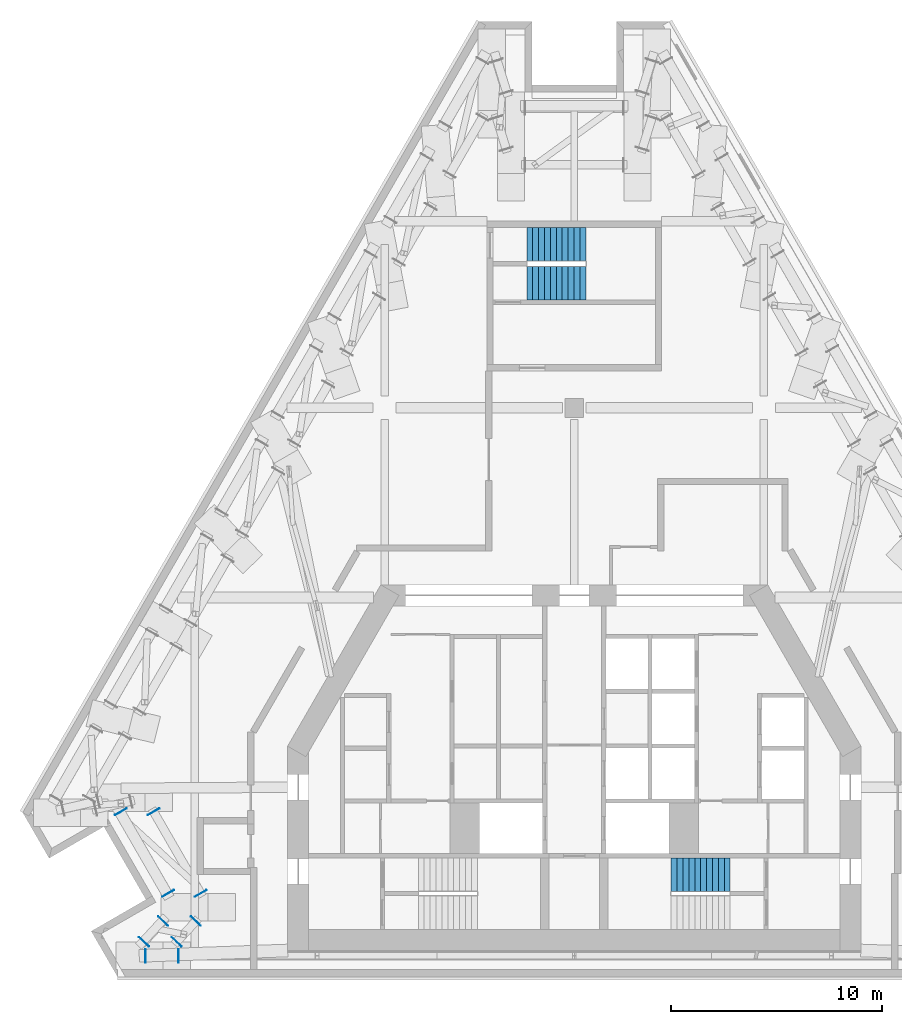
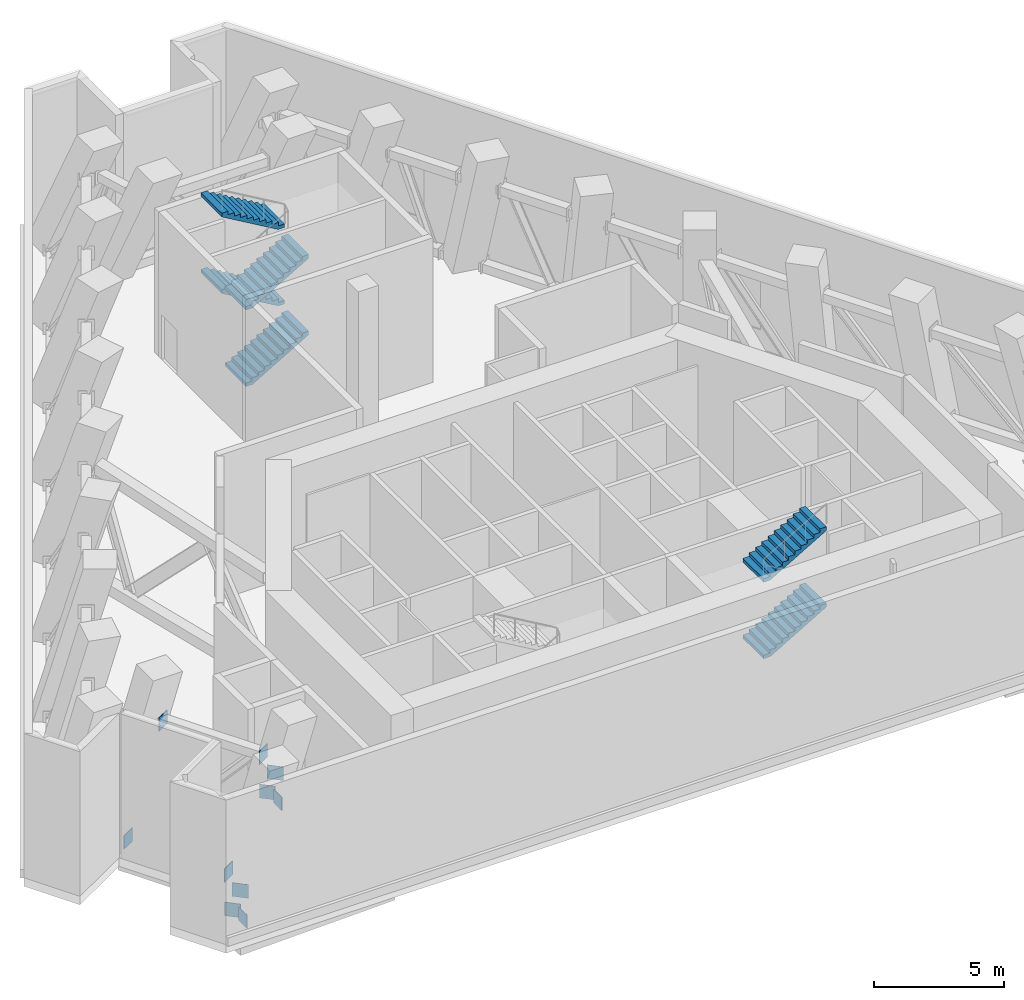
# One storey, part 9 of 13: 10 discrete accessories, 6 stair flights, 2 elements without a shape of their own.
"""IFC4 building model written with IfcOpenShell, lengths in metres."""

import ifcopenshell
import ifcopenshell.guid

model = None  # the IFC model being written
_history = None  # IfcOwnerHistory: only IFC2X3 demands one
_inside = {}  # id of a spatial element -> (the spatial element, [elements in it])
_under = {}  # id of a project, library or spatial element -> (it, [spatial elements below it])
_declared = {}  # id of a project -> (the project, [libraries it declares])
_typed = {}  # id of a type object -> (the type object, [elements of that type])
_made_of = {}  # id of a material, layer set ... -> (it, [elements and type objects made of it])


def new_model(schema):
    """Start an empty IFC model of exactly this schema.

    Asked for "IFC4X3", IfcOpenShell would pick the latest addendum, in which some entities
    have other attributes; the version numbers below select the first issue.
    IFC2X3 requires an IfcOwnerHistory on every rooted entity: one is made here for all.
    """
    global model, _history
    if schema == "IFC4X3":
        model = ifcopenshell.file(schema_version=(4, 3, 0, 0))
    else:
        model = ifcopenshell.file(schema=schema)
    _inside.clear()
    _under.clear()
    _declared.clear()
    _typed.clear()
    _made_of.clear()
    _history = None
    if model.schema == "IFC2X3":
        org = make("IfcOrganization", Name="unknown")
        user = make(
            "IfcPersonAndOrganization",
            ThePerson=make("IfcPerson", FamilyName="unknown"),
            TheOrganization=org,
        )
        app = make(
            "IfcApplication",
            ApplicationDeveloper=org,
            Version="unknown",
            ApplicationFullName="unknown",
            ApplicationIdentifier="unknown",
        )
        _history = make(
            "IfcOwnerHistory",
            OwningUser=user,
            OwningApplication=app,
            ChangeAction="ADDED",
            CreationDate=0,
        )
    return model


def make(cls, **values):
    """One entity of the class cls with the attributes given. An attribute that is None is left unset."""
    return model.create_entity(
        cls, **{name: value for name, value in values.items() if value is not None}
    )


def rooted(cls, **values):
    """An entity with a GlobalId (a new one), such as an element, a storey or a relation."""
    return make(cls, GlobalId=ifcopenshell.guid.new(), OwnerHistory=_history, **values)


def si_unit(unit_type, name, prefix=None):
    """IfcSIUnit, for example si_unit("LENGTHUNIT", "METRE", prefix="MILLI")."""
    return make("IfcSIUnit", UnitType=unit_type, Prefix=prefix, Name=name)


def assignment(units):
    """IfcUnitAssignment: the units of a project."""
    return None if units is None else make("IfcUnitAssignment", Units=units)


def point(xyz):
    """IfcCartesianPoint."""
    return None if xyz is None else make("IfcCartesianPoint", Coordinates=xyz)


def direction(xyz):
    """IfcDirection."""
    return None if xyz is None else make("IfcDirection", DirectionRatios=xyz)


def frame(location, z_axis=None, x_axis=None):
    """IfcAxis2Placement3D, a coordinate frame: its origin and axes. An axis left out is left unset."""
    return make(
        "IfcAxis2Placement3D",
        Location=point(location),
        Axis=direction(z_axis),
        RefDirection=direction(x_axis),
    )


def frame_2d(location, x_axis=None):
    """IfcAxis2Placement2D, a coordinate frame in the plane: its origin and x axis."""
    return make(
        "IfcAxis2Placement2D", Location=point(location), RefDirection=direction(x_axis)
    )


def origin():
    """The frame at (0, 0, 0) with its axes left unset."""
    return frame((0.0, 0.0, 0.0))


def origin_2d():
    """The frame at (0, 0) in the plane with its x axis left unset."""
    return frame_2d((0.0, 0.0))


def place(relative_to, where):
    """IfcLocalPlacement: puts the frame where relative to a parent placement (None: the world)."""
    return make(
        "IfcLocalPlacement", PlacementRelTo=relative_to, RelativePlacement=where
    )


def context(
    kind, dimensions, precision=None, world=None, true_north=None, identifier=None
):
    """IfcGeometricRepresentationContext, for example the 3D "Model" context."""
    return make(
        "IfcGeometricRepresentationContext",
        ContextIdentifier=identifier,
        ContextType=kind,
        CoordinateSpaceDimension=dimensions,
        Precision=precision,
        WorldCoordinateSystem=world,
        TrueNorth=true_north,
    )


def subcontext(parent, identifier, kind, view, scale=None):
    """IfcGeometricRepresentationSubContext, for example "Body" below "Model"."""
    return make(
        "IfcGeometricRepresentationSubContext",
        ContextIdentifier=identifier,
        ContextType=kind,
        ParentContext=parent,
        TargetScale=scale,
        TargetView=view,
    )


def project(units=None, contexts=None):
    """IfcProject with its units and contexts."""
    return rooted(
        "IfcProject",
        Name="project",
        RepresentationContexts=contexts,
        UnitsInContext=assignment(units),
    )


def spatial(cls, under=None, at=None, **own):
    """A site, building, storey or space (cls), placed at a placement, below another one or the project."""
    s = rooted(cls, ObjectPlacement=at, **own)
    if under is not None:
        _under.setdefault(under.id(), (under, []))[1].append(s)
    return s


def polyline(points):
    """IfcPolyline through the points."""
    return make("IfcPolyline", Points=[point(p) for p in points])


def profile(cls, at=None, kind="AREA", **sizes):
    """A parametric profile (cls). Its sizes go by their IFC names, for example OverallWidth=200.0."""
    return make(cls, ProfileType=kind, Position=at, **sizes)


def rectangle(**sizes):
    """IfcRectangleProfileDef."""
    return profile("IfcRectangleProfileDef", **sizes)


def outline(outer, holes=None, kind="AREA"):
    """IfcArbitraryClosedProfileDef: a profile drawn as a closed curve; with holes, ...WithVoids."""
    if holes is None:
        return make("IfcArbitraryClosedProfileDef", ProfileType=kind, OuterCurve=outer)
    return make(
        "IfcArbitraryProfileDefWithVoids",
        ProfileType=kind,
        OuterCurve=outer,
        InnerCurves=holes,
    )


def extrude(swept, where, along, depth):
    """IfcExtrudedAreaSolid: the profile swept, set in the frame where, extruded along a direction by depth."""
    return make(
        "IfcExtrudedAreaSolid",
        SweptArea=swept,
        Position=where,
        ExtrudedDirection=direction(along),
        Depth=depth,
    )


def shape(context_of_items, identifier, shape_type, items):
    """IfcShapeRepresentation: the items that make up one representation, for example the "Body"."""
    return make(
        "IfcShapeRepresentation",
        ContextOfItems=context_of_items,
        RepresentationIdentifier=identifier,
        RepresentationType=shape_type,
        Items=items,
    )


def material(Name=None, Category=None):
    """IfcMaterial."""
    return make("IfcMaterial", Name=Name, Category=Category)


def layer(
    of_material, thickness, ventilated=None, Name=None, Category=None, Priority=None
):
    """IfcMaterialLayer: one layer of a wall or slab, of a material (None: an air gap)."""
    return make(
        "IfcMaterialLayer",
        Material=of_material,
        LayerThickness=thickness,
        IsVentilated=ventilated,
        Name=Name,
        Category=Category,
        Priority=Priority,
    )


def layer_set(layers, Name=None):
    """IfcMaterialLayerSet."""
    return make("IfcMaterialLayerSet", MaterialLayers=layers, LayerSetName=Name)


def made_of(thing, what):
    """Note that an element or type object is made of a material, layer set ...; save() writes the relation."""
    if what is not None:
        _made_of.setdefault(what.id(), (what, []))[1].append(thing)
    return thing


def type_object(cls, material=None, **own):
    """A type object (cls), such as IfcWallType, which elements share."""
    return made_of(rooted(cls, **own), material)


def element(
    cls,
    number,
    at=None,
    inside=None,
    cuts=None,
    type_object=None,
    material=None,
    context=None,
    identifier="Body",
    shape_type=None,
    held_by="IfcProductDefinitionShape",
    body=None,
    shapes=None,
    **own,
):
    """One element of the class cls, such as IfcWall. Its Tag is "e" and its number.

    at: its placement. inside: the storey or other place that contains it. cuts: it is an
    opening in that element (IfcRelVoidsElement). A single representation is given by context,
    identifier, shape_type and body (its items); several are given by shapes. held_by: the class
    of the entity that holds the representations. save() writes the other relations.
    """
    e = rooted(cls, Tag="e%d" % number, ObjectPlacement=at, **own)
    if body is not None:
        shapes = [shape(context, identifier, shape_type, body)]
    if shapes is not None:
        e.Representation = make(held_by, Representations=shapes)
    if inside is not None:
        _inside.setdefault(inside.id(), (inside, []))[1].append(e)
    if cuts is not None:
        rooted(
            "IfcRelVoidsElement", RelatingBuildingElement=cuts, RelatedOpeningElement=e
        )
    if type_object is not None:
        _typed.setdefault(type_object.id(), (type_object, []))[1].append(e)
    return made_of(e, material)


def aggregate(whole, parts):
    """IfcRelAggregates: a whole, such as a stair, and the parts it consists of."""
    return rooted("IfcRelAggregates", RelatingObject=whole, RelatedObjects=parts)


def save(model, path):
    """Write the relations noted so far, then the file.

    IfcRelAggregates (storeys below a building ...), IfcRelContainedInSpatialStructure (elements
    in a storey), IfcRelDefinesByType, IfcRelAssociatesMaterial and IfcRelDeclares: one each for
    every whole, place, type object, material and project.
    """
    for whole, parts in _under.values():
        aggregate(whole, parts)
    for where, things in _inside.values():
        rooted(
            "IfcRelContainedInSpatialStructure",
            RelatedElements=things,
            RelatingStructure=where,
        )
    for kind, things in _typed.values():
        rooted("IfcRelDefinesByType", RelatedObjects=things, RelatingType=kind)
    for what, things in _made_of.values():
        rooted("IfcRelAssociatesMaterial", RelatedObjects=things, RelatingMaterial=what)
    for by, libraries in _declared.values():
        rooted("IfcRelDeclares", RelatingContext=by, RelatedDefinitions=libraries)
    model.write(path)


model = new_model("IFC4")

# Units and contexts
model_context = context("Model", 3, precision=1e-05, world=origin(), true_north=direction((0.0, 1.0)))
body_context = subcontext(model_context, "Body", "Model", "MODEL_VIEW")
ifc_project = project(units=[si_unit("LENGTHUNIT", "METRE"), si_unit("AREAUNIT", "SQUARE_METRE"), si_unit("VOLUMEUNIT", "CUBIC_METRE"), si_unit("PLANEANGLEUNIT", "RADIAN"), si_unit("MASSUNIT", "GRAM", prefix="KILO")], contexts=[model_context])

# Site, building, storey
site_placement = place(None, origin())
site = spatial("IfcSite", under=ifc_project, at=site_placement, CompositionType="ELEMENT")
building_placement = place(site_placement, origin())
building = spatial("IfcBuilding", under=site, at=building_placement, Name="Fogline Exchange Tower", CompositionType="ELEMENT")
storey_placement = place(building_placement, frame((0.0, 0.0, 259.5)))
storey = spatial("IfcBuildingStorey", under=building, at=storey_placement, Name="L59", CompositionType="ELEMENT", Elevation=259.5)

# Stair, stair flights
ifc_material_1 = material(Name="Concrete C40", Category="concrete")
stair_type = type_object("IfcStairType", Name="STR44-1636", PredefinedType="HALF_TURN_STAIR", material=ifc_material_1)
stair_1_placement = place(storey_placement, origin())
stair_1 = element("IfcStair", 1, at=stair_1_placement, inside=storey, type_object=stair_type, Name="Stair ST2", PredefinedType="HALF_TURN_STAIR")
stair_flight_type = type_object("IfcStairFlightType", Name="SF11-1636", PredefinedType="STRAIGHT", material=ifc_material_1)
stair_flight_1_placement = place(storey_placement, frame((4.60009765625, 4.85009765625, 1.800048828125), z_axis=(0.0, 0.0, 1.0), x_axis=(1.0, 0.0, 0.0)))
stair_flight_1 = element("IfcStairFlight", 2, at=stair_flight_1_placement, type_object=stair_flight_type, Name="ST2 flight 2", NumberOfRisers=11, NumberOfTreads=10, PredefinedType="STRAIGHT", RiserHeight=0.163636364, TreadLength=0.28, context=body_context, shape_type="SweptSolid", body=[
    extrude(outline(polyline([(0.0, 0.0), (0.0, 0.16357421875), (0.280029296875, 0.16357421875), (0.280029296875, 0.327392578125), (0.56005859375, 0.327392578125), (0.56005859375, 0.490966796875), (0.840087890625, 0.490966796875), (0.840087890625, 0.654541015625), (1.1201171875, 0.654541015625), (1.1201171875, 0.818115234375), (1.39990234375, 0.818115234375), (1.39990234375, 0.98193359375), (1.679931640625, 0.98193359375), (1.679931640625, 1.1455078125), (1.9599609375, 1.1455078125), (1.9599609375, 1.30908203125), (2.239990234375, 1.30908203125), (2.239990234375, 1.47265625), (2.52001953125, 1.47265625), (2.52001953125, 1.636474609375), (2.800048828125, 1.636474609375), (2.800048828125, 1.800048828125), (2.800048828125, 1.462646484375), (0.297119140625, 0.0), (0.0, 0.0)])), frame((0.0, 0.800048828125, 0.0), z_axis=(0.0, -1.0, 0.0), x_axis=(1.0, 0.0, 0.0)), (0.0, 0.0, 1.0), 1.60009765625),
])
stair_flight_2_placement = place(storey_placement, frame((4.60009765625, 4.85009765625, 5.39990234375), z_axis=(0.0, 0.0, 1.0), x_axis=(1.0, 0.0, 0.0)))
stair_flight_2 = element("IfcStairFlight", 3, at=stair_flight_2_placement, type_object=stair_flight_type, Name="ST2 flight 4", NumberOfRisers=11, NumberOfTreads=10, PredefinedType="STRAIGHT", RiserHeight=0.163636364, TreadLength=0.28, context=body_context, shape_type="SweptSolid", body=[
    extrude(outline(polyline([(0.0, 0.0), (0.0, 0.16357421875), (0.280029296875, 0.16357421875), (0.280029296875, 0.327392578125), (0.56005859375, 0.327392578125), (0.56005859375, 0.490966796875), (0.840087890625, 0.490966796875), (0.840087890625, 0.654541015625), (1.1201171875, 0.654541015625), (1.1201171875, 0.818115234375), (1.39990234375, 0.818115234375), (1.39990234375, 0.98193359375), (1.679931640625, 0.98193359375), (1.679931640625, 1.1455078125), (1.9599609375, 1.1455078125), (1.9599609375, 1.30908203125), (2.239990234375, 1.30908203125), (2.239990234375, 1.47265625), (2.52001953125, 1.47265625), (2.52001953125, 1.636474609375), (2.800048828125, 1.636474609375), (2.800048828125, 1.800048828125), (2.800048828125, 1.462646484375), (0.297119140625, 0.0), (0.0, 0.0)])), frame((0.0, 0.800048828125, 0.0), z_axis=(0.0, -1.0, 0.0), x_axis=(1.0, 0.0, 0.0)), (0.0, 0.0, 1.0), 1.60009765625),
])
aggregate(stair_1, [stair_flight_1, stair_flight_2])

stair_2_placement = place(storey_placement, origin())
stair_2 = element("IfcStair", 4, at=stair_2_placement, inside=storey, type_object=stair_type, Name="Stair ST3", PredefinedType="HALF_TURN_STAIR")
stair_flight_3_placement = place(storey_placement, frame((-2.25, 32.906982421875, 0.0), z_axis=(0.0, 0.0, 1.0), x_axis=(1.0, 0.0, 0.0)))
stair_flight_3 = element("IfcStairFlight", 5, at=stair_flight_3_placement, type_object=stair_flight_type, Name="ST3 flight 1", NumberOfRisers=11, NumberOfTreads=10, PredefinedType="STRAIGHT", RiserHeight=0.163636364, TreadLength=0.28, context=body_context, shape_type="SweptSolid", body=[
    extrude(outline(polyline([(0.0, 0.0), (0.0, 0.16357421875), (0.280029296875, 0.16357421875), (0.280029296875, 0.327392578125), (0.56005859375, 0.327392578125), (0.56005859375, 0.490966796875), (0.840087890625, 0.490966796875), (0.840087890625, 0.654541015625), (1.1201171875, 0.654541015625), (1.1201171875, 0.818115234375), (1.39990234375, 0.818115234375), (1.39990234375, 0.98193359375), (1.679931640625, 0.98193359375), (1.679931640625, 1.1455078125), (1.9599609375, 1.1455078125), (1.9599609375, 1.30908203125), (2.239990234375, 1.30908203125), (2.239990234375, 1.47265625), (2.52001953125, 1.47265625), (2.52001953125, 1.636474609375), (2.800048828125, 1.636474609375), (2.800048828125, 1.800048828125), (2.800048828125, 1.462646484375), (0.297119140625, 0.0), (0.0, 0.0)])), frame((0.0, 0.800048828125, 0.0), z_axis=(0.0, -1.0, 0.0), x_axis=(1.0, 0.0, 0.0)), (0.0, 0.0, 1.0), 1.60009765625),
])
stair_flight_4_placement = place(storey_placement, frame((0.550048828125, 34.757080078125, 1.800048828125), z_axis=(0.0, 0.0, 1.0), x_axis=(-1.0, 0.0, 0.0)))
stair_flight_4 = element("IfcStairFlight", 6, at=stair_flight_4_placement, type_object=stair_flight_type, Name="ST3 flight 2", NumberOfRisers=11, NumberOfTreads=10, PredefinedType="STRAIGHT", RiserHeight=0.163636364, TreadLength=0.28, context=body_context, shape_type="SweptSolid", body=[
    extrude(outline(polyline([(0.0, 0.0), (0.0, 0.16357421875), (0.280029296875, 0.16357421875), (0.280029296875, 0.327392578125), (0.56005859375, 0.327392578125), (0.56005859375, 0.490966796875), (0.840087890625, 0.490966796875), (0.840087890625, 0.654541015625), (1.1201171875, 0.654541015625), (1.1201171875, 0.818115234375), (1.39990234375, 0.818115234375), (1.39990234375, 0.98193359375), (1.679931640625, 0.98193359375), (1.679931640625, 1.1455078125), (1.9599609375, 1.1455078125), (1.9599609375, 1.30908203125), (2.239990234375, 1.30908203125), (2.239990234375, 1.47265625), (2.52001953125, 1.47265625), (2.52001953125, 1.636474609375), (2.800048828125, 1.636474609375), (2.800048828125, 1.800048828125), (2.800048828125, 1.462646484375), (0.297119140625, 0.0), (0.0, 0.0)])), frame((0.0, 0.800048828125, 0.0), z_axis=(0.0, -1.0, 0.0), x_axis=(1.0, 0.0, 0.0)), (0.0, 0.0, 1.0), 1.60009765625),
])
stair_flight_5_placement = place(storey_placement, frame((-2.25, 32.906982421875, 3.60009765625), z_axis=(0.0, 0.0, 1.0), x_axis=(1.0, 0.0, 0.0)))
stair_flight_5 = element("IfcStairFlight", 7, at=stair_flight_5_placement, type_object=stair_flight_type, Name="ST3 flight 3", NumberOfRisers=11, NumberOfTreads=10, PredefinedType="STRAIGHT", RiserHeight=0.163636364, TreadLength=0.28, context=body_context, shape_type="SweptSolid", body=[
    extrude(outline(polyline([(0.0, 0.0), (0.0, 0.16357421875), (0.280029296875, 0.16357421875), (0.280029296875, 0.327392578125), (0.56005859375, 0.327392578125), (0.56005859375, 0.490966796875), (0.840087890625, 0.490966796875), (0.840087890625, 0.654541015625), (1.1201171875, 0.654541015625), (1.1201171875, 0.818115234375), (1.39990234375, 0.818115234375), (1.39990234375, 0.98193359375), (1.679931640625, 0.98193359375), (1.679931640625, 1.1455078125), (1.9599609375, 1.1455078125), (1.9599609375, 1.30908203125), (2.239990234375, 1.30908203125), (2.239990234375, 1.47265625), (2.52001953125, 1.47265625), (2.52001953125, 1.636474609375), (2.800048828125, 1.636474609375), (2.800048828125, 1.800048828125), (2.800048828125, 1.462646484375), (0.297119140625, 0.0), (0.0, 0.0)])), frame((0.0, 0.800048828125, 0.0), z_axis=(0.0, -1.0, 0.0), x_axis=(1.0, 0.0, 0.0)), (0.0, 0.0, 1.0), 1.60009765625),
])
stair_flight_6_placement = place(storey_placement, frame((0.550048828125, 34.757080078125, 5.39990234375), z_axis=(0.0, 0.0, 1.0), x_axis=(-1.0, 0.0, 0.0)))
stair_flight_6 = element("IfcStairFlight", 8, at=stair_flight_6_placement, type_object=stair_flight_type, Name="ST3 flight 4", NumberOfRisers=11, NumberOfTreads=10, PredefinedType="STRAIGHT", RiserHeight=0.163636364, TreadLength=0.28, context=body_context, shape_type="SweptSolid", body=[
    extrude(outline(polyline([(0.0, 0.0), (0.0, 0.16357421875), (0.280029296875, 0.16357421875), (0.280029296875, 0.327392578125), (0.56005859375, 0.327392578125), (0.56005859375, 0.490966796875), (0.840087890625, 0.490966796875), (0.840087890625, 0.654541015625), (1.1201171875, 0.654541015625), (1.1201171875, 0.818115234375), (1.39990234375, 0.818115234375), (1.39990234375, 0.98193359375), (1.679931640625, 0.98193359375), (1.679931640625, 1.1455078125), (1.9599609375, 1.1455078125), (1.9599609375, 1.30908203125), (2.239990234375, 1.30908203125), (2.239990234375, 1.47265625), (2.52001953125, 1.47265625), (2.52001953125, 1.636474609375), (2.800048828125, 1.636474609375), (2.800048828125, 1.800048828125), (2.800048828125, 1.462646484375), (0.297119140625, 0.0), (0.0, 0.0)])), frame((0.0, 0.800048828125, 0.0), z_axis=(0.0, -1.0, 0.0), x_axis=(1.0, 0.0, 0.0)), (0.0, 0.0, 1.0), 1.60009765625),
])
aggregate(stair_2, [stair_flight_3, stair_flight_4, stair_flight_5, stair_flight_6])

# Discrete accessories
ifc_material_2 = material(Name="Steel Q355B", Category="steel")
ifc_layer = layer(ifc_material_2, 0.02490234375)
ifc_layer_set = layer_set([ifc_layer], Name="BE03")
discrete_accessory_type = type_object("IfcDiscreteAccessoryType", Name="BE03", PredefinedType="USERDEFINED", material=ifc_layer_set)
for number, where, z_axis, x_axis, name in (
    (9, (-21.51171875, 7.83447265625, -0.1201171875), (0.0, 0.0, 1.0), (-0.5, 0.866025403784, 0.0), "Belt truss chord end plate BT2-1-BC"),
    (10, (-19.274658203125, 3.9599609375, -0.1201171875), (0.0, 0.0, 1.0), (0.5, -0.866025403784, 0.0), "Belt truss chord end plate BT2-1-BC"),
    (11, (-19.9599609375, 7.83447265625, 4.8798828125), (0.0, 0.0, 1.0), (-0.5, 0.866025403784, 0.0), "Belt truss chord end plate BT2-1-TC"),
    (12, (-17.72314453125, 3.9599609375, 4.8798828125), (0.0, 0.0, 1.0), (0.5, -0.866025403784, 0.0), "Belt truss chord end plate BT2-1-TC"),
    (13, (-19.505859375, 2.639892578125, -0.1201171875), (0.0, 0.0, 1.0), (0.68078095751, 0.732487056467, 0.0), "Belt truss chord end plate BT3-1-BC"),
    (14, (-20.417236328125, 1.6591796875, -0.1201171875), (0.0, 0.0, 1.0), (-0.68078095751, -0.732487056467, 0.0), "Belt truss chord end plate BT3-1-BC"),
    (15, (-17.9541015625, 2.639892578125, 4.8798828125), (0.0, 0.0, 1.0), (0.68078095751, 0.732487056467, 0.0), "Belt truss chord end plate BT3-1-TC"),
    (16, (-18.86572265625, 1.6591796875, 4.8798828125), (0.0, 0.0, 1.0), (-0.68078095751, -0.732487056467, 0.0), "Belt truss chord end plate BT3-1-TC"),
    (17, (-20.3369140625, 1.0, -0.1201171875), (0.0, 0.0, 1.0), (-1.0, 0.0, 0.0), "Belt truss chord end plate BT4-1-BC"),
    (18, (-18.78515625, 1.0, 4.8798828125), (0.0, 0.0, 1.0), (-1.0, 0.0, 0.0), "Belt truss chord end plate BT4-1-TC"),
):
    element("IfcDiscreteAccessory", number, at=place(storey_placement, frame(where, z_axis=z_axis, x_axis=x_axis)), inside=storey, type_object=discrete_accessory_type, Name=name, ObjectType="END PLATE", PredefinedType="USERDEFINED", context=body_context, shape_type="SweptSolid", body=[
        extrude(rectangle(XDim=0.02490234375, YDim=0.639892578125, at=origin_2d()), origin(), (0.0, 0.0, 1.0), 0.639892578125),
    ])

save(model, "model.ifc")
